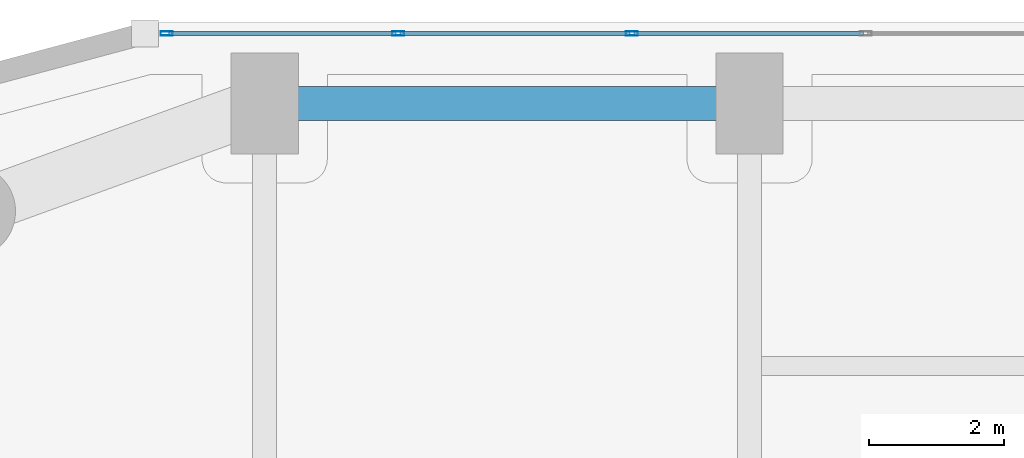
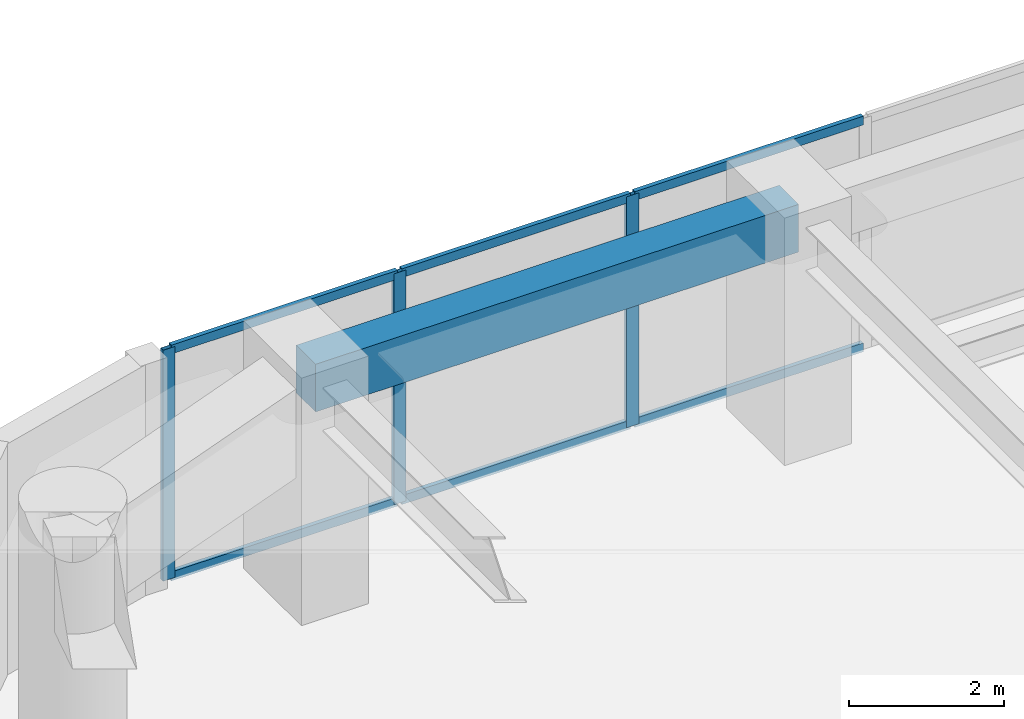
# One storey, part 16 of 29: 9 members, 1 beam, 1 element without a shape of its own.
"""IFC4 building model written with IfcOpenShell, lengths in metres."""

from ifc_helpers import new_model, si_unit, direction, frame, origin, origin_2d, place, context, subcontext, project, spatial, rectangle, hollow_rectangle, extrude, material, layer, layer_set, material_profile, profile_set, type_object, element, aggregate, save


model = new_model("IFC4")

# Units and contexts
model_context = context("Model", 3, precision=1e-05, world=origin(), true_north=direction((0.0, 1.0)))
body_context = subcontext(model_context, "Body", "Model", "MODEL_VIEW")
ifc_project = project(units=[si_unit("LENGTHUNIT", "METRE"), si_unit("AREAUNIT", "SQUARE_METRE"), si_unit("VOLUMEUNIT", "CUBIC_METRE"), si_unit("PLANEANGLEUNIT", "RADIAN"), si_unit("MASSUNIT", "GRAM", prefix="KILO")], contexts=[model_context])

# Site, building, storey
site_placement = place(None, origin())
site = spatial("IfcSite", under=ifc_project, at=site_placement, CompositionType="ELEMENT")
building_placement = place(site_placement, origin())
building = spatial("IfcBuilding", under=site, at=building_placement, Name="Kiyonajd Concourse Tower", CompositionType="ELEMENT")
storey_placement = place(building_placement, frame((0.0, 0.0, 25.5)))
storey = spatial("IfcBuildingStorey", under=building, at=storey_placement, Name="L07", CompositionType="ELEMENT", Elevation=25.5)

# Beam
ifc_material_1 = material(Name="Precast concrete C50/60", Category="concrete")
ifc_material_profile_1 = material_profile(ifc_material_1, rectangle(XDim=0.5, YDim=0.75, at=origin_2d()), Name="RCBM-500x750")
ifc_profile_set_1 = profile_set([ifc_material_profile_1], Name="Precast concrete C50/60")
beam_type = type_object("IfcBeamType", Name="BM-SPAN-RC", PredefinedType="SPANDREL", material=ifc_profile_set_1)
beam_placement = place(storey_placement, frame((32.39990234375, 61.199951171875, 3.264892578125), z_axis=(-1.0, 0.0, 0.0), x_axis=(0.0, -1.0, 0.0)))
element("IfcBeam", 1, at=beam_placement, inside=storey, type_object=beam_type, Name="L07 Perimeter Bundled Tube Spandrel", PredefinedType="SPANDREL", context=body_context, shape_type="SweptSolid", body=[
    extrude(rectangle(XDim=0.5, YDim=0.75, at=origin_2d()), origin(), (0.0, 0.0, 1.0), 7.199951171875),
])

# Curtain wall, members
ifc_material_2 = material(Name="Thermally Broken Anodised Aluminium", Category="aluminium")
ifc_layer = layer(ifc_material_2, 0.179931640625)
ifc_layer_set = layer_set([ifc_layer], Name="Thermally Broken Anodised Aluminium")
curtain_wall_type = type_object("IfcCurtainWallType", Name="CW-SYS-02", PredefinedType="NOTDEFINED", material=ifc_layer_set)
curtain_wall_placement = place(storey_placement, origin())
curtain_wall = element("IfcCurtainWall", 2, at=curtain_wall_placement, inside=storey, type_object=curtain_wall_type, Name="L07 Unitised Curtain Wall CW2", PredefinedType="NOTDEFINED")
ifc_material_profile_2 = material_profile(ifc_material_2, hollow_rectangle(XDim=0.06494140625, YDim=0.179931640625, WallThickness=0.00390625, at=origin_2d()), Name="MULL-65x180")
ifc_profile_set_2 = profile_set([ifc_material_profile_2], Name="Thermally Broken Anodised Aluminium")
member_type_1 = type_object("IfcMemberType", Name="MB-CW-MULL1", PredefinedType="MULLION", material=ifc_profile_set_2)
member_1_placement = place(storey_placement, frame((23.74365234375, 62.239990234375, 0.0), z_axis=(0.0, 0.0, 1.0), x_axis=(0.0, 1.0, 0.0)))
member_1 = element("IfcMember", 3, at=member_1_placement, type_object=member_type_1, Name="CW2 mullion 1", PredefinedType="MULLION", context=body_context, shape_type="SweptSolid", body=[
    extrude(hollow_rectangle(XDim=0.06494140625, YDim=0.179931640625, WallThickness=0.00390625, at=origin_2d()), origin(), (0.0, 0.0, 1.0), 3.639892578125),
])
member_2_placement = place(storey_placement, frame((27.181884765625, 62.239990234375, 0.0), z_axis=(0.0, 0.0, 1.0), x_axis=(0.0, 1.0, 0.0)))
member_2 = element("IfcMember", 4, at=member_2_placement, type_object=member_type_1, Name="CW2 mullion 2", PredefinedType="MULLION", context=body_context, shape_type="SweptSolid", body=[
    extrude(hollow_rectangle(XDim=0.06494140625, YDim=0.179931640625, WallThickness=0.00390625, at=origin_2d()), origin(), (0.0, 0.0, 1.0), 3.639892578125),
])
member_3_placement = place(storey_placement, frame((30.652587890625, 62.239990234375, 0.0), z_axis=(0.0, 0.0, 1.0), x_axis=(0.0, 1.0, 0.0)))
member_3 = element("IfcMember", 5, at=member_3_placement, type_object=member_type_1, Name="CW2 mullion 3", PredefinedType="MULLION", context=body_context, shape_type="SweptSolid", body=[
    extrude(hollow_rectangle(XDim=0.06494140625, YDim=0.179931640625, WallThickness=0.00390625, at=origin_2d()), origin(), (0.0, 0.0, 1.0), 3.639892578125),
])
ifc_material_profile_3 = material_profile(ifc_material_2, hollow_rectangle(XDim=0.06494140625, YDim=0.139892578125, WallThickness=0.00390625, at=origin_2d()), Name="TRAN-65x140")
ifc_profile_set_3 = profile_set([ifc_material_profile_3], Name="Thermally Broken Anodised Aluminium")
member_type_2 = type_object("IfcMemberType", Name="MB-CW-TRAN1", PredefinedType="USERDEFINED", material=ifc_profile_set_3)
member_4_placement = place(storey_placement, frame((23.776123046875, 62.239990234375, 0.032470703125), z_axis=(1.0, 0.0, 0.0), x_axis=(0.0, 1.0, 0.0)))
member_4 = element("IfcMember", 6, at=member_4_placement, type_object=member_type_2, Name="CW2 transom 1.1", ObjectType="TRANSOM", PredefinedType="USERDEFINED", context=body_context, shape_type="SweptSolid", body=[
    extrude(hollow_rectangle(XDim=0.06494140625, YDim=0.139892578125, WallThickness=0.00390625, at=origin_2d()), origin(), (0.0, 0.0, 1.0), 3.373291015625),
])
member_5_placement = place(storey_placement, frame((23.776123046875, 62.239990234375, 3.607421875), z_axis=(1.0, 0.0, 0.0), x_axis=(0.0, 1.0, 0.0)))
member_5 = element("IfcMember", 7, at=member_5_placement, type_object=member_type_2, Name="CW2 transom 1.2", ObjectType="TRANSOM", PredefinedType="USERDEFINED", context=body_context, shape_type="SweptSolid", body=[
    extrude(hollow_rectangle(XDim=0.06494140625, YDim=0.139892578125, WallThickness=0.00390625, at=origin_2d()), origin(), (0.0, 0.0, 1.0), 3.373291015625),
])
member_6_placement = place(storey_placement, frame((27.21435546875, 62.239990234375, 0.032470703125), z_axis=(1.0, 0.0, 0.0), x_axis=(0.0, 1.0, 0.0)))
member_6 = element("IfcMember", 8, at=member_6_placement, type_object=member_type_2, Name="CW2 transom 2.1", ObjectType="TRANSOM", PredefinedType="USERDEFINED", context=body_context, shape_type="SweptSolid", body=[
    extrude(hollow_rectangle(XDim=0.06494140625, YDim=0.139892578125, WallThickness=0.00390625, at=origin_2d()), origin(), (0.0, 0.0, 1.0), 3.40576171875),
])
member_7_placement = place(storey_placement, frame((27.21435546875, 62.239990234375, 3.607421875), z_axis=(1.0, 0.0, 0.0), x_axis=(0.0, 1.0, 0.0)))
member_7 = element("IfcMember", 9, at=member_7_placement, type_object=member_type_2, Name="CW2 transom 2.2", ObjectType="TRANSOM", PredefinedType="USERDEFINED", context=body_context, shape_type="SweptSolid", body=[
    extrude(hollow_rectangle(XDim=0.06494140625, YDim=0.139892578125, WallThickness=0.00390625, at=origin_2d()), origin(), (0.0, 0.0, 1.0), 3.40576171875),
])
member_8_placement = place(storey_placement, frame((30.68505859375, 62.239990234375, 0.032470703125), z_axis=(1.0, 0.0, 0.0), x_axis=(0.0, 1.0, 0.0)))
member_8 = element("IfcMember", 10, at=member_8_placement, type_object=member_type_2, Name="CW2 transom 3.1", ObjectType="TRANSOM", PredefinedType="USERDEFINED", context=body_context, shape_type="SweptSolid", body=[
    extrude(hollow_rectangle(XDim=0.06494140625, YDim=0.139892578125, WallThickness=0.00390625, at=origin_2d()), origin(), (0.0, 0.0, 1.0), 3.40576171875),
])
member_9_placement = place(storey_placement, frame((30.68505859375, 62.239990234375, 3.607421875), z_axis=(1.0, 0.0, 0.0), x_axis=(0.0, 1.0, 0.0)))
member_9 = element("IfcMember", 11, at=member_9_placement, type_object=member_type_2, Name="CW2 transom 3.2", ObjectType="TRANSOM", PredefinedType="USERDEFINED", context=body_context, shape_type="SweptSolid", body=[
    extrude(hollow_rectangle(XDim=0.06494140625, YDim=0.139892578125, WallThickness=0.00390625, at=origin_2d()), origin(), (0.0, 0.0, 1.0), 3.40576171875),
])
aggregate(curtain_wall, [member_1, member_2, member_3, member_4, member_5, member_6, member_7, member_8, member_9])

save(model, "model.ifc")
